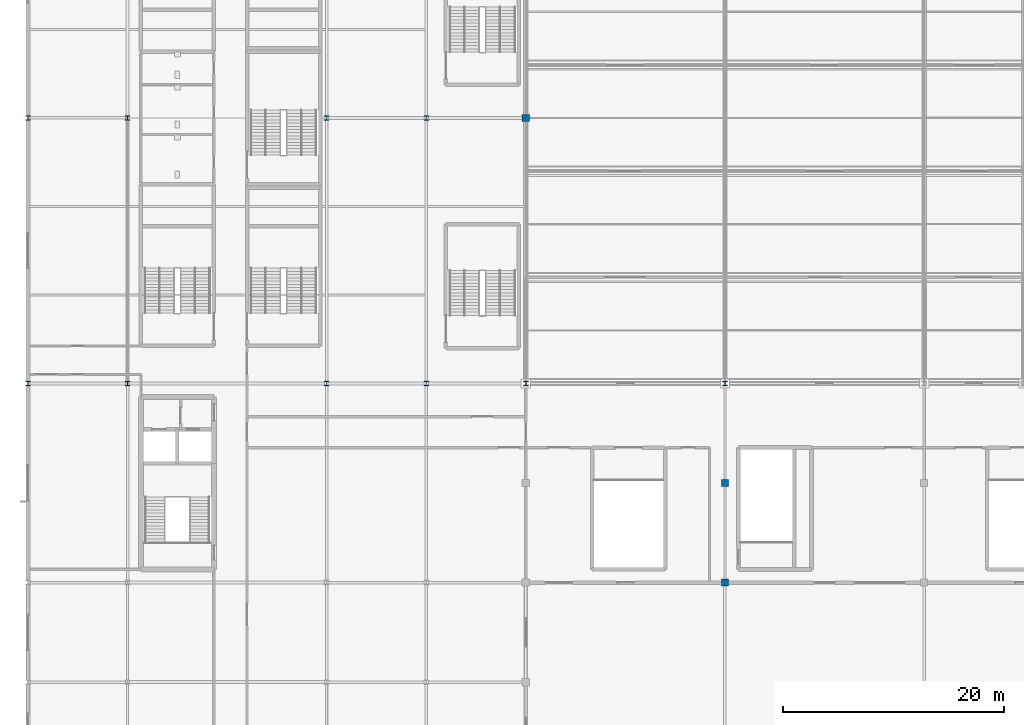
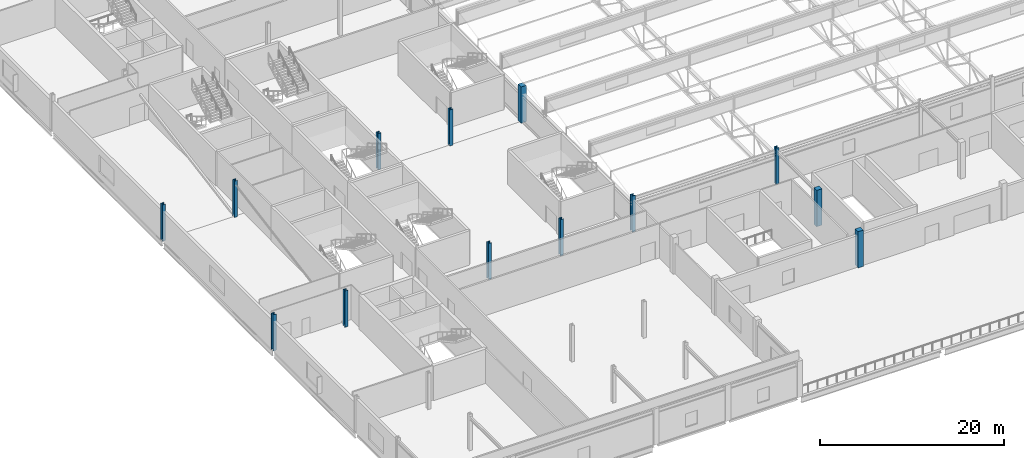
# One storey, part 2 of 136: 13 columns.
"""IFC4 building model written with IfcOpenShell, lengths in metres."""

import ifcopenshell
import ifcopenshell.guid

model = None  # the IFC model being written
_history = None  # IfcOwnerHistory: only IFC2X3 demands one
_inside = {}  # id of a spatial element -> (the spatial element, [elements in it])
_under = {}  # id of a project, library or spatial element -> (it, [spatial elements below it])
_declared = {}  # id of a project -> (the project, [libraries it declares])
_typed = {}  # id of a type object -> (the type object, [elements of that type])
_made_of = {}  # id of a material, layer set ... -> (it, [elements and type objects made of it])


def new_model(schema):
    """Start an empty IFC model of exactly this schema.

    Asked for "IFC4X3", IfcOpenShell would pick the latest addendum, in which some entities
    have other attributes; the version numbers below select the first issue.
    IFC2X3 requires an IfcOwnerHistory on every rooted entity: one is made here for all.
    """
    global model, _history
    if schema == "IFC4X3":
        model = ifcopenshell.file(schema_version=(4, 3, 0, 0))
    else:
        model = ifcopenshell.file(schema=schema)
    _inside.clear()
    _under.clear()
    _declared.clear()
    _typed.clear()
    _made_of.clear()
    _history = None
    if model.schema == "IFC2X3":
        org = make("IfcOrganization", Name="unknown")
        user = make(
            "IfcPersonAndOrganization",
            ThePerson=make("IfcPerson", FamilyName="unknown"),
            TheOrganization=org,
        )
        app = make(
            "IfcApplication",
            ApplicationDeveloper=org,
            Version="unknown",
            ApplicationFullName="unknown",
            ApplicationIdentifier="unknown",
        )
        _history = make(
            "IfcOwnerHistory",
            OwningUser=user,
            OwningApplication=app,
            ChangeAction="ADDED",
            CreationDate=0,
        )
    return model


def make(cls, **values):
    """One entity of the class cls with the attributes given. An attribute that is None is left unset."""
    return model.create_entity(
        cls, **{name: value for name, value in values.items() if value is not None}
    )


def rooted(cls, **values):
    """An entity with a GlobalId (a new one), such as an element, a storey or a relation."""
    return make(cls, GlobalId=ifcopenshell.guid.new(), OwnerHistory=_history, **values)


def si_unit(unit_type, name, prefix=None):
    """IfcSIUnit, for example si_unit("LENGTHUNIT", "METRE", prefix="MILLI")."""
    return make("IfcSIUnit", UnitType=unit_type, Prefix=prefix, Name=name)


def assignment(units):
    """IfcUnitAssignment: the units of a project."""
    return None if units is None else make("IfcUnitAssignment", Units=units)


def point(xyz):
    """IfcCartesianPoint."""
    return None if xyz is None else make("IfcCartesianPoint", Coordinates=xyz)


def direction(xyz):
    """IfcDirection."""
    return None if xyz is None else make("IfcDirection", DirectionRatios=xyz)


def frame(location, z_axis=None, x_axis=None):
    """IfcAxis2Placement3D, a coordinate frame: its origin and axes. An axis left out is left unset."""
    return make(
        "IfcAxis2Placement3D",
        Location=point(location),
        Axis=direction(z_axis),
        RefDirection=direction(x_axis),
    )


def frame_2d(location, x_axis=None):
    """IfcAxis2Placement2D, a coordinate frame in the plane: its origin and x axis."""
    return make(
        "IfcAxis2Placement2D", Location=point(location), RefDirection=direction(x_axis)
    )


def origin():
    """The frame at (0, 0, 0) with its axes left unset."""
    return frame((0.0, 0.0, 0.0))


def origin_2d():
    """The frame at (0, 0) in the plane with its x axis left unset."""
    return frame_2d((0.0, 0.0))


def place(relative_to, where):
    """IfcLocalPlacement: puts the frame where relative to a parent placement (None: the world)."""
    return make(
        "IfcLocalPlacement", PlacementRelTo=relative_to, RelativePlacement=where
    )


def context(
    kind, dimensions, precision=None, world=None, true_north=None, identifier=None
):
    """IfcGeometricRepresentationContext, for example the 3D "Model" context."""
    return make(
        "IfcGeometricRepresentationContext",
        ContextIdentifier=identifier,
        ContextType=kind,
        CoordinateSpaceDimension=dimensions,
        Precision=precision,
        WorldCoordinateSystem=world,
        TrueNorth=true_north,
    )


def subcontext(parent, identifier, kind, view, scale=None):
    """IfcGeometricRepresentationSubContext, for example "Body" below "Model"."""
    return make(
        "IfcGeometricRepresentationSubContext",
        ContextIdentifier=identifier,
        ContextType=kind,
        ParentContext=parent,
        TargetScale=scale,
        TargetView=view,
    )


def project(units=None, contexts=None):
    """IfcProject with its units and contexts."""
    return rooted(
        "IfcProject",
        Name="project",
        RepresentationContexts=contexts,
        UnitsInContext=assignment(units),
    )


def spatial(cls, under=None, at=None, **own):
    """A site, building, storey or space (cls), placed at a placement, below another one or the project."""
    s = rooted(cls, ObjectPlacement=at, **own)
    if under is not None:
        _under.setdefault(under.id(), (under, []))[1].append(s)
    return s


def profile(cls, at=None, kind="AREA", **sizes):
    """A parametric profile (cls). Its sizes go by their IFC names, for example OverallWidth=200.0."""
    return make(cls, ProfileType=kind, Position=at, **sizes)


def rectangle(**sizes):
    """IfcRectangleProfileDef."""
    return profile("IfcRectangleProfileDef", **sizes)


def i_section(**sizes):
    """IfcIShapeProfileDef."""
    return profile("IfcIShapeProfileDef", **sizes)


def extrude(swept, where, along, depth):
    """IfcExtrudedAreaSolid: the profile swept, set in the frame where, extruded along a direction by depth."""
    return make(
        "IfcExtrudedAreaSolid",
        SweptArea=swept,
        Position=where,
        ExtrudedDirection=direction(along),
        Depth=depth,
    )


def shape(context_of_items, identifier, shape_type, items):
    """IfcShapeRepresentation: the items that make up one representation, for example the "Body"."""
    return make(
        "IfcShapeRepresentation",
        ContextOfItems=context_of_items,
        RepresentationIdentifier=identifier,
        RepresentationType=shape_type,
        Items=items,
    )


def material(Name=None, Category=None):
    """IfcMaterial."""
    return make("IfcMaterial", Name=Name, Category=Category)


def material_profile(
    of_material, cross_section, Name=None, Category=None, Priority=None
):
    """IfcMaterialProfile: a cross section and its material."""
    return make(
        "IfcMaterialProfile",
        Name=Name,
        Material=of_material,
        Profile=cross_section,
        Priority=Priority,
        Category=Category,
    )


def profile_set(profiles, Name=None, composite=None):
    """IfcMaterialProfileSet."""
    return make(
        "IfcMaterialProfileSet",
        Name=Name,
        MaterialProfiles=profiles,
        CompositeProfile=composite,
    )


def made_of(thing, what):
    """Note that an element or type object is made of a material, layer set ...; save() writes the relation."""
    if what is not None:
        _made_of.setdefault(what.id(), (what, []))[1].append(thing)
    return thing


def type_object(cls, material=None, **own):
    """A type object (cls), such as IfcWallType, which elements share."""
    return made_of(rooted(cls, **own), material)


def element(
    cls,
    number,
    at=None,
    inside=None,
    cuts=None,
    type_object=None,
    material=None,
    context=None,
    identifier="Body",
    shape_type=None,
    held_by="IfcProductDefinitionShape",
    body=None,
    shapes=None,
    **own,
):
    """One element of the class cls, such as IfcWall. Its Tag is "e" and its number.

    at: its placement. inside: the storey or other place that contains it. cuts: it is an
    opening in that element (IfcRelVoidsElement). A single representation is given by context,
    identifier, shape_type and body (its items); several are given by shapes. held_by: the class
    of the entity that holds the representations. save() writes the other relations.
    """
    e = rooted(cls, Tag="e%d" % number, ObjectPlacement=at, **own)
    if body is not None:
        shapes = [shape(context, identifier, shape_type, body)]
    if shapes is not None:
        e.Representation = make(held_by, Representations=shapes)
    if inside is not None:
        _inside.setdefault(inside.id(), (inside, []))[1].append(e)
    if cuts is not None:
        rooted(
            "IfcRelVoidsElement", RelatingBuildingElement=cuts, RelatedOpeningElement=e
        )
    if type_object is not None:
        _typed.setdefault(type_object.id(), (type_object, []))[1].append(e)
    return made_of(e, material)


def aggregate(whole, parts):
    """IfcRelAggregates: a whole, such as a stair, and the parts it consists of."""
    return rooted("IfcRelAggregates", RelatingObject=whole, RelatedObjects=parts)


def save(model, path):
    """Write the relations noted so far, then the file.

    IfcRelAggregates (storeys below a building ...), IfcRelContainedInSpatialStructure (elements
    in a storey), IfcRelDefinesByType, IfcRelAssociatesMaterial and IfcRelDeclares: one each for
    every whole, place, type object, material and project.
    """
    for whole, parts in _under.values():
        aggregate(whole, parts)
    for where, things in _inside.values():
        rooted(
            "IfcRelContainedInSpatialStructure",
            RelatedElements=things,
            RelatingStructure=where,
        )
    for kind, things in _typed.values():
        rooted("IfcRelDefinesByType", RelatedObjects=things, RelatingType=kind)
    for what, things in _made_of.values():
        rooted("IfcRelAssociatesMaterial", RelatedObjects=things, RelatingMaterial=what)
    for by, libraries in _declared.values():
        rooted("IfcRelDeclares", RelatingContext=by, RelatedDefinitions=libraries)
    model.write(path)


model = new_model("IFC4")

# Units and contexts
model_context = context("Model", 3, precision=1e-05, world=origin(), true_north=direction((0.0, 1.0)))
body_context = subcontext(model_context, "Body", "Model", "MODEL_VIEW")
ifc_project = project(units=[si_unit("LENGTHUNIT", "METRE"), si_unit("AREAUNIT", "SQUARE_METRE"), si_unit("VOLUMEUNIT", "CUBIC_METRE"), si_unit("PLANEANGLEUNIT", "RADIAN"), si_unit("MASSUNIT", "GRAM", prefix="KILO")], contexts=[model_context])

# Site, building, storey
site_placement = place(None, origin())
site = spatial("IfcSite", under=ifc_project, at=site_placement, CompositionType="ELEMENT")
building_placement = place(site_placement, origin())
building = spatial("IfcBuilding", under=site, at=building_placement, Name="Kisiwana Market Hall", CompositionType="ELEMENT")
storey_placement = place(building_placement, frame((0.0, 0.0, 16.800048828125)))
storey = spatial("IfcBuildingStorey", under=building, at=storey_placement, Name="L03", CompositionType="ELEMENT", Elevation=16.800048828125)

# Columns
ifc_material_1 = material(Name="Concrete C40/50", Category="concrete")
ifc_material_profile_1 = material_profile(ifc_material_1, rectangle(XDim=0.64990234375, YDim=0.64990234375, at=origin_2d()), Name="RC 650x650")
ifc_profile_set_1 = profile_set([ifc_material_profile_1], Name="Concrete C40/50")
column_type_1 = type_object("IfcColumnType", Name="COL-RC-POD-650", PredefinedType="COLUMN", material=ifc_profile_set_1)
for number, where, z_axis, x_axis, name in (
    (1, (45.0, 60.0, 0.0), (0.0, 0.0, 1.0), (1.0, 0.0, 0.0), "Column H/6 (L03) C-0699"),
    (2, (63.0, 18.0, 0.0), (0.0, 0.0, 1.0), (1.0, 0.0, 0.0), "Column C/8 (L03) C-0705"),
    (3, (63.0, 27.0, 0.0), (0.0, 0.0, 1.0), (1.0, 0.0, 0.0), "Column D/8 (L03) C-0706"),
):
    element("IfcColumn", number, at=place(storey_placement, frame(where, z_axis=z_axis, x_axis=x_axis)), inside=storey, type_object=column_type_1, Name=name, PredefinedType="COLUMN", context=body_context, shape_type="SweptSolid", body=[
        extrude(rectangle(XDim=0.64990234375, YDim=0.64990234375, at=origin_2d()), origin(), (0.0, 0.0, 1.0), 4.800048828125),
    ])
ifc_material_2 = material(Name="Steel S355", Category="steel")
ifc_material_profile_2 = material_profile(ifc_material_2, i_section(OverallWidth=0.406005859375, OverallDepth=0.416015625, WebThickness=0.02978515625, FlangeThickness=0.048095703125, at=origin_2d()), Name="HD 400x382")
ifc_profile_set_2 = profile_set([ifc_material_profile_2], Name="Steel S355")
column_type_2 = type_object("IfcColumnType", Name="COL-STL-HD382", PredefinedType="COLUMN", material=ifc_profile_set_2)
for number, where, z_axis, x_axis, name in (
    (4, (0.0, 36.0, 0.0), (0.0, 0.0, 1.0), (1.0, 0.0, 0.0), "Column E/1 (L03) C-0663"),
    (5, (0.0, 60.0, 0.0), (0.0, 0.0, 1.0), (1.0, 0.0, 0.0), "Column H/1 (L03) C-0664"),
    (6, (9.0, 36.0, 0.0), (0.0, 0.0, 1.0), (1.0, 0.0, 0.0), "Column E/2 (L03) C-0672"),
    (7, (27.0, 36.0, 0.0), (0.0, 0.0, 1.0), (1.0, 0.0, 0.0), "Column E/4 (L03) C-0680"),
    (8, (27.0, 60.0, 0.0), (0.0, 0.0, 1.0), (1.0, 0.0, 0.0), "Column H/4 (L03) C-0681"),
    (9, (36.0, 36.0, 0.0), (0.0, 0.0, 1.0), (1.0, 0.0, 0.0), "Column E/5 (L03) C-0689"),
    (10, (9.0, 60.0, 0.0), (0.0, 0.0, 1.0), (1.0, 0.0, 0.0), "Column H/2 (L03) C-0656"),
    (11, (36.0, 60.0, 0.0), (0.0, 0.0, 1.0), (1.0, 0.0, 0.0), "Column H/5 (L03) C-0657"),
):
    element("IfcColumn", number, at=place(storey_placement, frame(where, z_axis=z_axis, x_axis=x_axis)), inside=storey, type_object=column_type_2, Name=name, PredefinedType="COLUMN", context=body_context, shape_type="SweptSolid", body=[
        extrude(i_section(OverallWidth=0.406005859375, OverallDepth=0.416015625, WebThickness=0.02978515625, FlangeThickness=0.048095703125, at=origin_2d()), origin(), (0.0, 0.0, 1.0), 4.800048828125),
    ])
ifc_material_3 = material(Name="Steel S355", Category="steel")
ifc_material_profile_3 = material_profile(ifc_material_3, i_section(OverallWidth=0.412109375, OverallDepth=0.43505859375, WebThickness=0.035888671875, FlangeThickness=0.05810546875, at=origin_2d()), Name="HD 400x463")
ifc_profile_set_3 = profile_set([ifc_material_profile_3], Name="Steel S355")
column_type_3 = type_object("IfcColumnType", Name="COL-STL-HD463", PredefinedType="COLUMN", material=ifc_profile_set_3)
for number, where, z_axis, x_axis, name in (
    (12, (45.0, 36.0, 0.0), (0.0, 0.0, 1.0), (1.0, 0.0, 0.0), "Column E/6 (L03) C-0698"),
    (13, (63.0, 36.0, 0.0), (0.0, 0.0, 1.0), (1.0, 0.0, 0.0), "Column E/8 (L03) C-0707"),
):
    element("IfcColumn", number, at=place(storey_placement, frame(where, z_axis=z_axis, x_axis=x_axis)), inside=storey, type_object=column_type_3, Name=name, PredefinedType="COLUMN", context=body_context, shape_type="SweptSolid", body=[
        extrude(i_section(OverallWidth=0.412109375, OverallDepth=0.43505859375, WebThickness=0.035888671875, FlangeThickness=0.05810546875, at=origin_2d()), origin(), (0.0, 0.0, 1.0), 4.800048828125),
    ])

save(model, "model.ifc")
